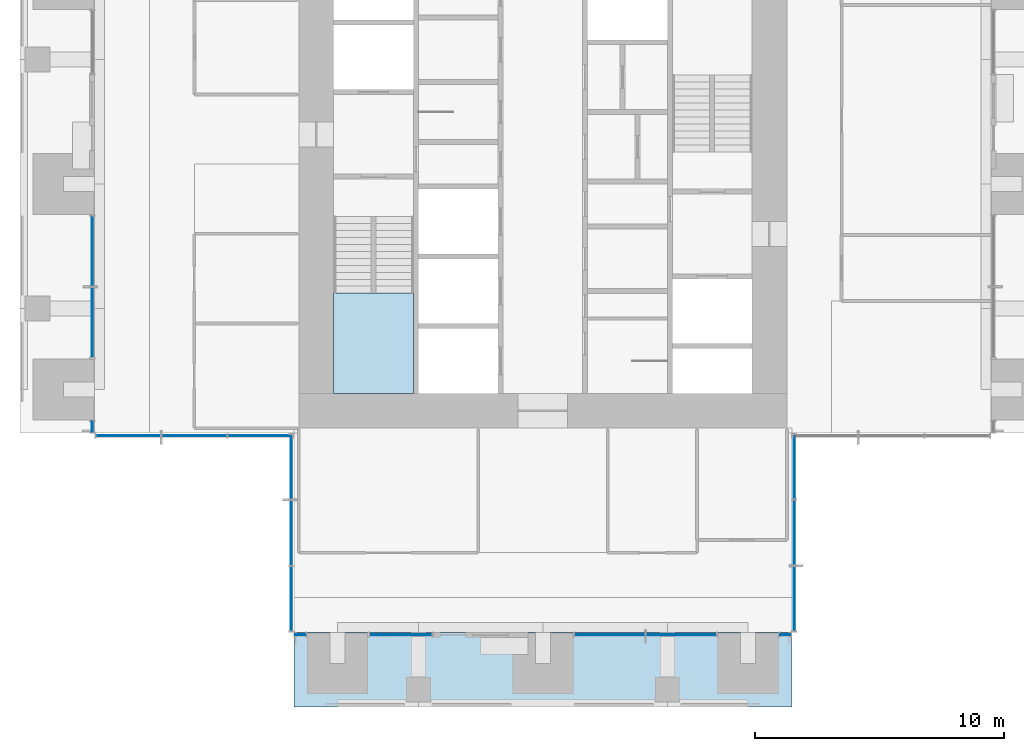
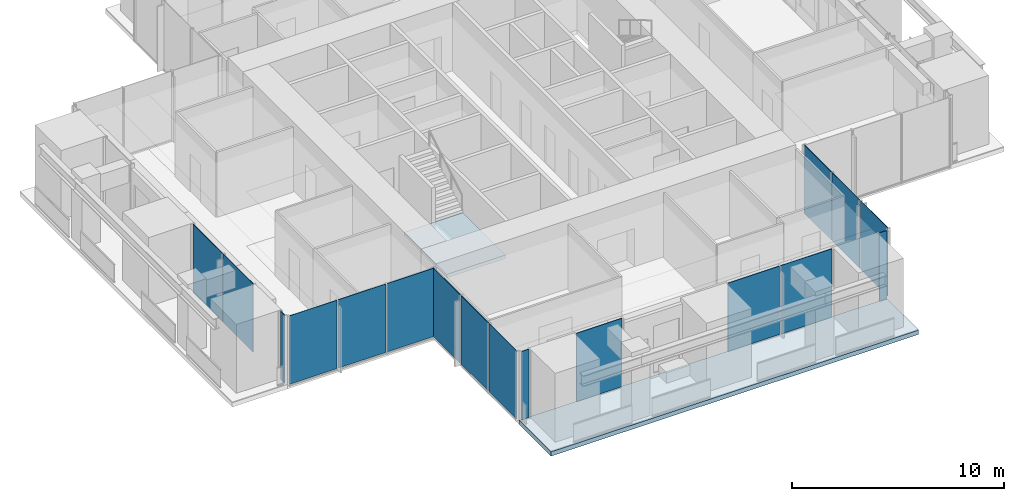
# One storey, part 7 of 17: 17 plates, 2 slabs, 10 elements without a shape of their own.
"""IFC4 building model written with IfcOpenShell, lengths in metres."""

from ifc_helpers import new_model, si_unit, direction, frame, origin, origin_2d, place, context, subcontext, project, spatial, polyline, rectangle, outline, extrude, material, layer, layer_set, type_object, element, aggregate, save


model = new_model("IFC4")

# Units and contexts
model_context = context("Model", 3, precision=1e-05, world=origin(), true_north=direction((0.0, 1.0)))
body_context = subcontext(model_context, "Body", "Model", "MODEL_VIEW")
ifc_project = project(units=[si_unit("LENGTHUNIT", "METRE"), si_unit("AREAUNIT", "SQUARE_METRE"), si_unit("VOLUMEUNIT", "CUBIC_METRE"), si_unit("PLANEANGLEUNIT", "RADIAN"), si_unit("MASSUNIT", "GRAM", prefix="KILO")], contexts=[model_context])

# Site, building, storey
site_placement = place(None, origin())
site = spatial("IfcSite", under=ifc_project, at=site_placement, CompositionType="ELEMENT")
building_placement = place(site_placement, origin())
building = spatial("IfcBuilding", under=site, at=building_placement, Name="Svetlomir Tower", CompositionType="ELEMENT")
storey_placement = place(building_placement, frame((0.0, 0.0, 182.5)))
storey = spatial("IfcBuildingStorey", under=building, at=storey_placement, Name="L43", CompositionType="ELEMENT", Elevation=182.5)

# Curtain wall, plate
ifc_material_1 = material(Name="Bronze anodised aluminium curtain wall", Category="aluminium")
curtain_wall_type = type_object("IfcCurtainWallType", Name="CURTAIN WALL CW1 TOWER OFFICE", PredefinedType="NOTDEFINED", material=ifc_material_1)
curtain_wall_1_placement = place(storey_placement, origin())
curtain_wall_1 = element("IfcCurtainWall", 1, at=curtain_wall_1_placement, inside=storey, type_object=curtain_wall_type, Name="Curtain wall CW1 L43", PredefinedType="NOTDEFINED")
ifc_material_2 = material(Name="Tinted double glazed unit", Category="glass")
ifc_layer_1 = layer(ifc_material_2, 0.031982421875)
ifc_layer_set_1 = layer_set([ifc_layer_1], Name="Tinted double glazed unit")
plate_type = type_object("IfcPlateType", Name="CW1 GLAZED PANEL 32", PredefinedType="CURTAIN_PANEL", material=ifc_layer_set_1)
plate_1_placement = place(storey_placement, frame((11.262451171875, 2.89990234375, 0.06494140625), z_axis=(0.0, 0.0, 1.0), x_axis=(1.0, 0.0, 0.0)))
plate_1 = element("IfcPlate", 2, at=plate_1_placement, type_object=plate_type, Name="CW1 panel 1.1", PredefinedType="CURTAIN_PANEL", context=body_context, shape_type="SweptSolid", body=[
    extrude(rectangle(XDim=0.39501953125, YDim=0.031982421875, at=origin_2d()), origin(), (0.0, 0.0, 1.0), 3.93505859375),
])
aggregate(curtain_wall_1, [plate_1])

curtain_wall_2_placement = place(storey_placement, origin())
curtain_wall_2 = element("IfcCurtainWall", 3, at=curtain_wall_2_placement, inside=storey, type_object=curtain_wall_type, Name="Curtain wall CW1 L43", PredefinedType="NOTDEFINED")
plate_2_placement = place(storey_placement, frame((15.28759765625, 2.89990234375, 0.06494140625), z_axis=(0.0, 0.0, 1.0), x_axis=(1.0, 0.0, 0.0)))
plate_2 = element("IfcPlate", 4, at=plate_2_placement, type_object=plate_type, Name="CW1 panel 1.1", PredefinedType="CURTAIN_PANEL", context=body_context, shape_type="SweptSolid", body=[
    extrude(rectangle(XDim=2.4951171875, YDim=0.031982421875, at=origin_2d()), origin(), (0.0, 0.0, 1.0), 3.93505859375),
])
aggregate(curtain_wall_2, [plate_2])

# Curtain wall, plates
curtain_wall_3_placement = place(storey_placement, origin())
curtain_wall_3 = element("IfcCurtainWall", 5, at=curtain_wall_3_placement, inside=storey, type_object=curtain_wall_type, Name="Curtain wall CW1 L43", PredefinedType="NOTDEFINED")
plate_3_placement = place(storey_placement, frame((23.691162109375, 2.89990234375, 0.06494140625), z_axis=(0.0, 0.0, 1.0), x_axis=(1.0, 0.0, 0.0)))
plate_3 = element("IfcPlate", 6, at=plate_3_placement, type_object=plate_type, Name="CW1 panel 1.1", PredefinedType="CURTAIN_PANEL", context=body_context, shape_type="SweptSolid", body=[
    extrude(rectangle(XDim=2.802490234375, YDim=0.031982421875, at=origin_2d()), origin(), (0.0, 0.0, 1.0), 3.93505859375),
])
plate_4_placement = place(storey_placement, frame((26.558837890625, 2.89990234375, 0.06494140625), z_axis=(0.0, 0.0, 1.0), x_axis=(1.0, 0.0, 0.0)))
plate_4 = element("IfcPlate", 7, at=plate_4_placement, type_object=plate_type, Name="CW1 panel 2.1", PredefinedType="CURTAIN_PANEL", context=body_context, shape_type="SweptSolid", body=[
    extrude(rectangle(XDim=2.802490234375, YDim=0.031982421875, at=origin_2d()), origin(), (0.0, 0.0, 1.0), 3.93505859375),
])
aggregate(curtain_wall_3, [plate_3, plate_4])

# Curtain wall, plate
curtain_wall_4_placement = place(storey_placement, origin())
curtain_wall_4 = element("IfcCurtainWall", 8, at=curtain_wall_4_placement, inside=storey, type_object=curtain_wall_type, Name="Curtain wall CW1 L43", PredefinedType="NOTDEFINED")
plate_5_placement = place(storey_placement, frame((30.737548828125, 2.89990234375, 0.06494140625), z_axis=(0.0, 0.0, 1.0), x_axis=(1.0, 0.0, 0.0)))
plate_5 = element("IfcPlate", 9, at=plate_5_placement, type_object=plate_type, Name="CW1 panel 1.1", PredefinedType="CURTAIN_PANEL", context=body_context, shape_type="SweptSolid", body=[
    extrude(rectangle(XDim=0.39501953125, YDim=0.031982421875, at=origin_2d()), origin(), (0.0, 0.0, 1.0), 3.93505859375),
])
aggregate(curtain_wall_4, [plate_5])

# Curtain wall, plates
curtain_wall_5_placement = place(storey_placement, origin())
curtain_wall_5 = element("IfcCurtainWall", 10, at=curtain_wall_5_placement, inside=storey, type_object=curtain_wall_type, Name="Curtain wall CW1 L43", PredefinedType="NOTDEFINED")
plate_6_placement = place(storey_placement, frame((31.10009765625, 4.349609375, 0.06494140625), z_axis=(0.0, 0.0, 1.0), x_axis=(0.0, 1.0, 0.0)))
plate_6 = element("IfcPlate", 11, at=plate_6_placement, type_object=plate_type, Name="CW1 panel 1.1", PredefinedType="CURTAIN_PANEL", context=body_context, shape_type="SweptSolid", body=[
    extrude(rectangle(XDim=2.569091796875, YDim=0.031982421875, at=origin_2d()), origin(), (0.0, 0.0, 1.0), 3.93505859375),
])
plate_7_placement = place(storey_placement, frame((31.10009765625, 7.0, 0.06494140625), z_axis=(0.0, 0.0, 1.0), x_axis=(0.0, 1.0, 0.0)))
plate_7 = element("IfcPlate", 12, at=plate_7_placement, type_object=plate_type, Name="CW1 panel 2.1", PredefinedType="CURTAIN_PANEL", context=body_context, shape_type="SweptSolid", body=[
    extrude(rectangle(XDim=2.6015625, YDim=0.031982421875, at=origin_2d()), origin(), (0.0, 0.0, 1.0), 3.93505859375),
])
plate_8_placement = place(storey_placement, frame((31.10009765625, 9.650390625, 0.06494140625), z_axis=(0.0, 0.0, 1.0), x_axis=(0.0, 1.0, 0.0)))
plate_8 = element("IfcPlate", 13, at=plate_8_placement, type_object=plate_type, Name="CW1 panel 3.1", PredefinedType="CURTAIN_PANEL", context=body_context, shape_type="SweptSolid", body=[
    extrude(rectangle(XDim=2.569091796875, YDim=0.031982421875, at=origin_2d()), origin(), (0.0, 0.0, 1.0), 3.93505859375),
])
aggregate(curtain_wall_5, [plate_6, plate_7, plate_8])

curtain_wall_6_placement = place(storey_placement, origin())
curtain_wall_6 = element("IfcCurtainWall", 14, at=curtain_wall_6_placement, inside=storey, type_object=curtain_wall_type, Name="Curtain wall CW1 L43", PredefinedType="NOTDEFINED")
plate_9_placement = place(storey_placement, frame((2.89990234375, 18.308837890625, 0.06494140625), z_axis=(0.0, 0.0, 1.0), x_axis=(0.0, -1.0, 0.0)))
plate_9 = element("IfcPlate", 15, at=plate_9_placement, type_object=plate_type, Name="CW1 panel 1.1", PredefinedType="CURTAIN_PANEL", context=body_context, shape_type="SweptSolid", body=[
    extrude(rectangle(XDim=2.802490234375, YDim=0.031982421875, at=origin_2d()), origin(), (0.0, 0.0, 1.0), 3.93505859375),
])
plate_10_placement = place(storey_placement, frame((2.89990234375, 15.441162109375, 0.06494140625), z_axis=(0.0, 0.0, 1.0), x_axis=(0.0, -1.0, 0.0)))
plate_10 = element("IfcPlate", 16, at=plate_10_placement, type_object=plate_type, Name="CW1 panel 2.1", PredefinedType="CURTAIN_PANEL", context=body_context, shape_type="SweptSolid", body=[
    extrude(rectangle(XDim=2.802490234375, YDim=0.031982421875, at=origin_2d()), origin(), (0.0, 0.0, 1.0), 3.93505859375),
])
aggregate(curtain_wall_6, [plate_9, plate_10])

# Curtain wall, plate
curtain_wall_7_placement = place(storey_placement, origin())
curtain_wall_7 = element("IfcCurtainWall", 17, at=curtain_wall_7_placement, inside=storey, type_object=curtain_wall_type, Name="Curtain wall CW1 L43", PredefinedType="NOTDEFINED")
plate_11_placement = place(storey_placement, frame((2.89990234375, 11.262451171875, 0.06494140625), z_axis=(0.0, 0.0, 1.0), x_axis=(0.0, -1.0, 0.0)))
plate_11 = element("IfcPlate", 18, at=plate_11_placement, type_object=plate_type, Name="CW1 panel 1.1", PredefinedType="CURTAIN_PANEL", context=body_context, shape_type="SweptSolid", body=[
    extrude(rectangle(XDim=0.39501953125, YDim=0.031982421875, at=origin_2d()), origin(), (0.0, 0.0, 1.0), 3.93505859375),
])
aggregate(curtain_wall_7, [plate_11])

# Curtain wall, plates
curtain_wall_8_placement = place(storey_placement, origin())
curtain_wall_8 = element("IfcCurtainWall", 19, at=curtain_wall_8_placement, inside=storey, type_object=curtain_wall_type, Name="Curtain wall CW1 L43", PredefinedType="NOTDEFINED")
plate_12_placement = place(storey_placement, frame((4.349609375, 10.89990234375, 0.06494140625), z_axis=(0.0, 0.0, 1.0), x_axis=(1.0, 0.0, 0.0)))
plate_12 = element("IfcPlate", 20, at=plate_12_placement, type_object=plate_type, Name="CW1 panel 1.1", PredefinedType="CURTAIN_PANEL", context=body_context, shape_type="SweptSolid", body=[
    extrude(rectangle(XDim=2.569091796875, YDim=0.031982421875, at=origin_2d()), origin(), (0.0, 0.0, 1.0), 3.93505859375),
])
plate_13_placement = place(storey_placement, frame((7.0, 10.89990234375, 0.06494140625), z_axis=(0.0, 0.0, 1.0), x_axis=(1.0, 0.0, 0.0)))
plate_13 = element("IfcPlate", 21, at=plate_13_placement, type_object=plate_type, Name="CW1 panel 2.1", PredefinedType="CURTAIN_PANEL", context=body_context, shape_type="SweptSolid", body=[
    extrude(rectangle(XDim=2.6015625, YDim=0.031982421875, at=origin_2d()), origin(), (0.0, 0.0, 1.0), 3.93505859375),
])
plate_14_placement = place(storey_placement, frame((9.650390625, 10.89990234375, 0.06494140625), z_axis=(0.0, 0.0, 1.0), x_axis=(1.0, 0.0, 0.0)))
plate_14 = element("IfcPlate", 22, at=plate_14_placement, type_object=plate_type, Name="CW1 panel 3.1", PredefinedType="CURTAIN_PANEL", context=body_context, shape_type="SweptSolid", body=[
    extrude(rectangle(XDim=2.569091796875, YDim=0.031982421875, at=origin_2d()), origin(), (0.0, 0.0, 1.0), 3.93505859375),
])
aggregate(curtain_wall_8, [plate_12, plate_13, plate_14])

curtain_wall_9_placement = place(storey_placement, origin())
curtain_wall_9 = element("IfcCurtainWall", 23, at=curtain_wall_9_placement, inside=storey, type_object=curtain_wall_type, Name="Curtain wall CW1 L43", PredefinedType="NOTDEFINED")
plate_15_placement = place(storey_placement, frame((10.89990234375, 9.650390625, 0.06494140625), z_axis=(0.0, 0.0, 1.0), x_axis=(0.0, -1.0, 0.0)))
plate_15 = element("IfcPlate", 24, at=plate_15_placement, type_object=plate_type, Name="CW1 panel 1.1", PredefinedType="CURTAIN_PANEL", context=body_context, shape_type="SweptSolid", body=[
    extrude(rectangle(XDim=2.569091796875, YDim=0.031982421875, at=origin_2d()), origin(), (0.0, 0.0, 1.0), 3.93505859375),
])
plate_16_placement = place(storey_placement, frame((10.89990234375, 7.0, 0.06494140625), z_axis=(0.0, 0.0, 1.0), x_axis=(0.0, -1.0, 0.0)))
plate_16 = element("IfcPlate", 25, at=plate_16_placement, type_object=plate_type, Name="CW1 panel 2.1", PredefinedType="CURTAIN_PANEL", context=body_context, shape_type="SweptSolid", body=[
    extrude(rectangle(XDim=2.6015625, YDim=0.031982421875, at=origin_2d()), origin(), (0.0, 0.0, 1.0), 3.93505859375),
])
plate_17_placement = place(storey_placement, frame((10.89990234375, 4.349609375, 0.06494140625), z_axis=(0.0, 0.0, 1.0), x_axis=(0.0, -1.0, 0.0)))
plate_17 = element("IfcPlate", 26, at=plate_17_placement, type_object=plate_type, Name="CW1 panel 3.1", PredefinedType="CURTAIN_PANEL", context=body_context, shape_type="SweptSolid", body=[
    extrude(rectangle(XDim=2.569091796875, YDim=0.031982421875, at=origin_2d()), origin(), (0.0, 0.0, 1.0), 3.93505859375),
])
aggregate(curtain_wall_9, [plate_15, plate_16, plate_17])

# Slab
ifc_material_3 = material(Name="Concrete C60/75", Category="concrete")
ifc_layer_2 = layer(ifc_material_3, 0.25)
ifc_layer_set_2 = layer_set([ifc_layer_2], Name="Concrete C60/75")
slab_type_1 = type_object("IfcSlabType", Name="PLANTED LOGGIA SLAB 250", PredefinedType="FLOOR", material=ifc_layer_set_2)
slab_1_placement = place(storey_placement, frame((0.0, 0.0, -0.25)))
element("IfcSlab", 27, at=slab_1_placement, inside=storey, type_object=slab_type_1, Name="L43 S planted loggia", PredefinedType="FLOOR", context=body_context, shape_type="SweptSolid", body=[
    extrude(outline(polyline([(11.0, 0.0), (31.0, 0.0), (31.0, 3.0), (11.0, 3.0), (11.0, 0.0)])), origin(), (0.0, 0.0, 1.0), 0.25),
])

# Stair, slab
ifc_material_4 = material(Name="Concrete C60/75", Category="concrete")
stair_type = type_object("IfcStairType", Name="EXIT STAIR 3200 RISE 4000", PredefinedType="HALF_TURN_STAIR", material=ifc_material_4)
stair_placement = place(storey_placement, origin())
stair = element("IfcStair", 28, at=stair_placement, inside=storey, type_object=stair_type, Name="Stair S1 L43 to L44", PredefinedType="HALF_TURN_STAIR")
ifc_material_5 = material(Name="Concrete C60/75", Category="concrete")
ifc_layer_3 = layer(ifc_material_5, 0.199951171875)
ifc_layer_set_3 = layer_set([ifc_layer_3], Name="Concrete C60/75")
slab_type_2 = type_object("IfcSlabType", Name="STAIR LANDING 200", PredefinedType="LANDING", material=ifc_layer_set_3)
slab_2_placement = place(storey_placement, frame((0.0, 0.0, 1.800048828125)))
slab_2 = element("IfcSlab", 29, at=slab_2_placement, type_object=slab_type_2, Name="S1 landing 1", PredefinedType="LANDING", context=body_context, shape_type="SweptSolid", body=[
    extrude(outline(polyline([(12.60009765625, 12.60009765625), (15.800048828125, 12.60009765625), (15.800048828125, 16.6201171875), (12.60009765625, 16.6201171875), (12.60009765625, 12.60009765625)])), origin(), (0.0, 0.0, 1.0), 0.199951171875),
])
aggregate(stair, [slab_2])

save(model, "model.ifc")
